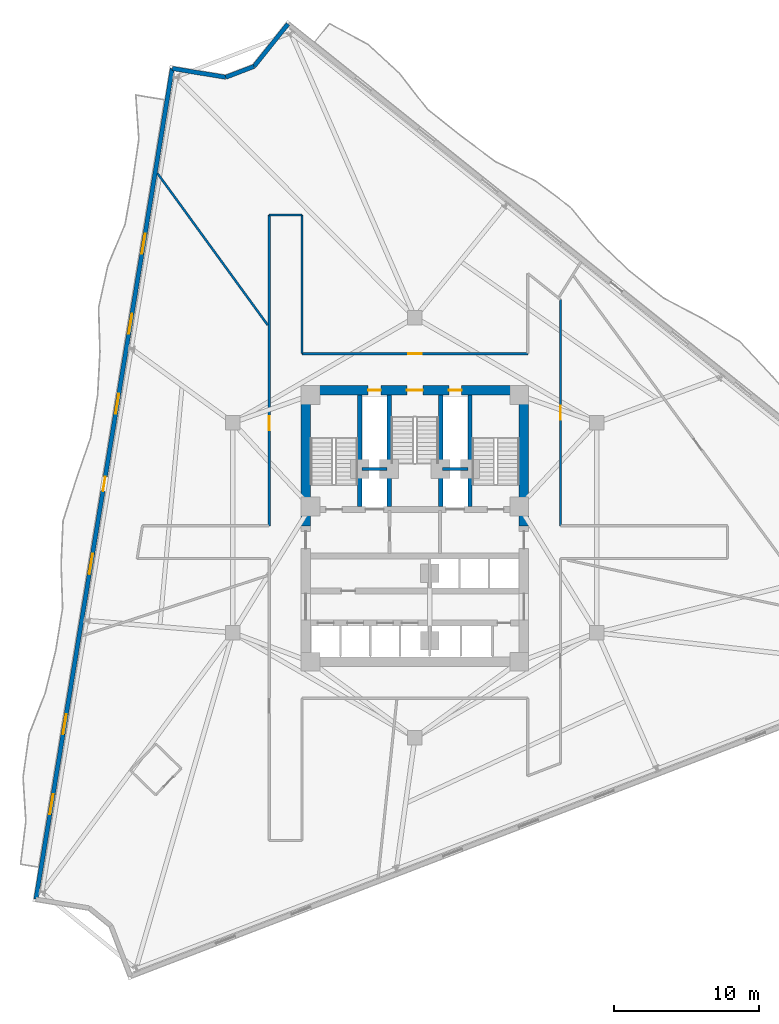
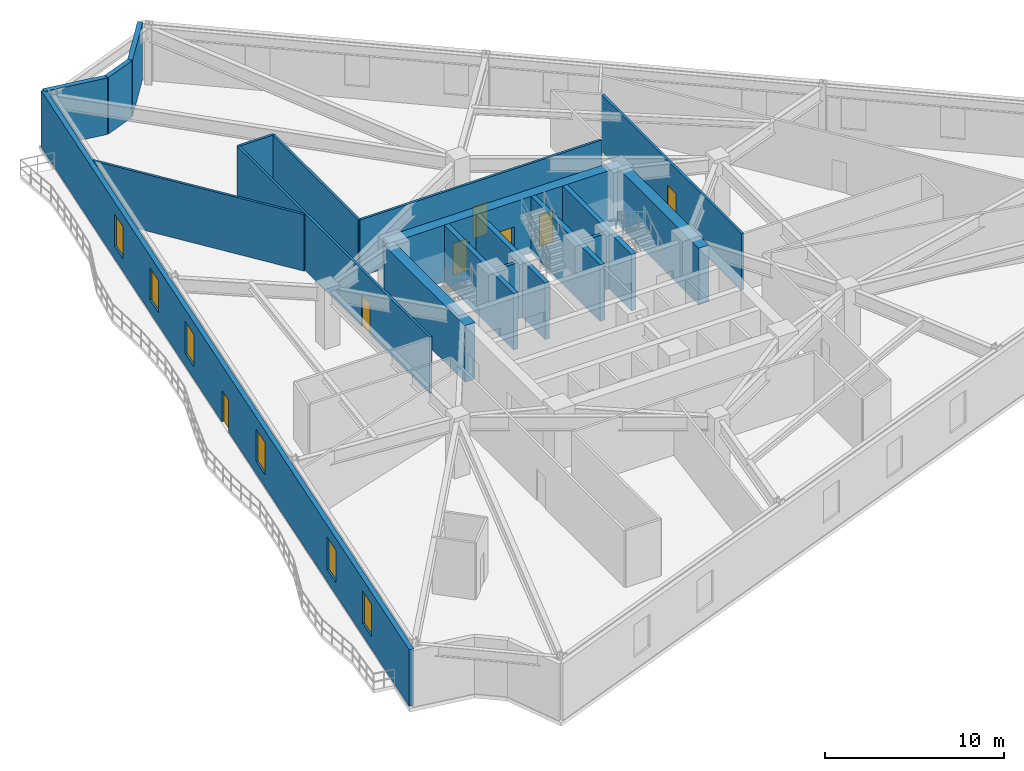
# One storey, part 6 of 10: 19 walls, 7 doors, 6 windows, 13 openings.
"""IFC4 building model written with IfcOpenShell, lengths in metres."""

from ifc_helpers import new_model, si_unit, direction, frame, frame_2d, origin, place, context, subcontext, project, spatial, rectangle, extrude, material, layer, layer_set, type_object, element, fill, save


model = new_model("IFC4")

# Units and contexts
model_context = context("Model", 3, precision=1e-05, world=origin(), true_north=direction((0.0, 1.0)))
body_context = subcontext(model_context, "Body", "Model", "MODEL_VIEW")
ifc_project = project(units=[si_unit("LENGTHUNIT", "METRE"), si_unit("AREAUNIT", "SQUARE_METRE"), si_unit("VOLUMEUNIT", "CUBIC_METRE"), si_unit("PLANEANGLEUNIT", "RADIAN"), si_unit("MASSUNIT", "GRAM", prefix="KILO")], contexts=[model_context])

# Site, building, storey
site_placement = place(None, origin())
site = spatial("IfcSite", under=ifc_project, at=site_placement, CompositionType="ELEMENT")
building_placement = place(site_placement, origin())
building = spatial("IfcBuilding", under=site, at=building_placement, Name="Apsidion Concourse Tower", CompositionType="ELEMENT")
storey_placement = place(building_placement, frame((0.0, 0.0, 152.699951171875)))
storey = spatial("IfcBuildingStorey", under=building, at=storey_placement, Name="L35", CompositionType="ELEMENT", Elevation=152.699951171875)

# Wall, openings, door, windows
ifc_material_1 = material(Name="Precast concrete C40/50", Category="concrete")
ifc_layer_1 = layer(ifc_material_1, 0.300048828125)
ifc_layer_set_1 = layer_set([ifc_layer_1], Name="Precast concrete C40/50")
wall_type_1 = type_object("IfcWallType", Name="WL-EXT-300", PredefinedType="STANDARD", material=ifc_layer_set_1)
wall_1_placement = place(storey_placement, frame((-26.149658203125, -25.64013671875, 0.0), z_axis=(0.0, 0.0, 1.0), x_axis=(0.161975761987, 0.986794736776, 0.0)))
wall_1 = element("IfcWall", 1, at=wall_1_placement, inside=storey, type_object=wall_type_1, Name="L35 Precast Stone Facade Wall 09", PredefinedType="STANDARD", context=body_context, shape_type="SweptSolid", body=[
    extrude(rectangle(XDim=58.093017578125, YDim=0.300048828125, at=frame_2d((29.04638671875, 0.0))), origin(), (0.0, 0.0, 1.0), 3.85009765625),
])
opening_1_placement = place(wall_1_placement, frame((28.54638671875, 0.0, 0.0)))
opening_1 = element("IfcOpeningElement", 2, at=opening_1_placement, cuts=wall_1, Name="Opening D-T1L", PredefinedType="OPENING", context=body_context, shape_type="SweptSolid", body=[
    extrude(rectangle(XDim=1.0, YDim=2.14990234375, at=frame_2d((0.5, 1.074951171875))), frame((0.0, 0.16015625, 0.0), z_axis=(0.0, -1.0, 0.0), x_axis=(1.0, 0.0, 0.0)), (0.0, 0.0, 1.0), 0.320068359375),
])
opening_2_placement = place(wall_1_placement, frame((5.946533203125, 0.0, 0.85009765625)))
opening_2 = element("IfcOpeningElement", 3, at=opening_2_placement, cuts=wall_1, Name="Opening WN-05", PredefinedType="OPENING", context=body_context, shape_type="SweptSolid", body=[
    extrude(rectangle(XDim=1.39990234375, YDim=2.199951171875, at=frame_2d((0.699951171875, 1.10009765625))), frame((0.0, 0.16015625, 0.0), z_axis=(0.0, -1.0, 0.0), x_axis=(1.0, 0.0, 0.0)), (0.0, 0.0, 1.0), 0.320068359375),
])
opening_3_placement = place(wall_1_placement, frame((11.54638671875, 0.0, 0.85009765625)))
opening_3 = element("IfcOpeningElement", 4, at=opening_3_placement, cuts=wall_1, Name="Opening WN-05", PredefinedType="OPENING", context=body_context, shape_type="SweptSolid", body=[
    extrude(rectangle(XDim=1.39990234375, YDim=2.199951171875, at=frame_2d((0.699951171875, 1.10009765625))), frame((0.0, 0.16015625, 0.0), z_axis=(0.0, -1.0, 0.0), x_axis=(1.0, 0.0, 0.0)), (0.0, 0.0, 1.0), 0.320068359375),
])
opening_4_placement = place(wall_1_placement, frame((22.74658203125, 0.0, 0.85009765625)))
opening_4 = element("IfcOpeningElement", 5, at=opening_4_placement, cuts=wall_1, Name="Opening WN-05", PredefinedType="OPENING", context=body_context, shape_type="SweptSolid", body=[
    extrude(rectangle(XDim=1.39990234375, YDim=2.199951171875, at=frame_2d((0.699951171875, 1.10009765625))), frame((0.0, 0.16015625, 0.0), z_axis=(0.0, -1.0, 0.0), x_axis=(1.0, 0.0, 0.0)), (0.0, 0.0, 1.0), 0.320068359375),
])
opening_5_placement = place(wall_1_placement, frame((33.946533203125, 0.0, 0.85009765625)))
opening_5 = element("IfcOpeningElement", 6, at=opening_5_placement, cuts=wall_1, Name="Opening WN-05", PredefinedType="OPENING", context=body_context, shape_type="SweptSolid", body=[
    extrude(rectangle(XDim=1.39990234375, YDim=2.199951171875, at=frame_2d((0.699951171875, 1.10009765625))), frame((0.0, 0.16015625, 0.0), z_axis=(0.0, -1.0, 0.0), x_axis=(1.0, 0.0, 0.0)), (0.0, 0.0, 1.0), 0.320068359375),
])
opening_6_placement = place(wall_1_placement, frame((39.54638671875, 0.0, 0.85009765625)))
opening_6 = element("IfcOpeningElement", 7, at=opening_6_placement, cuts=wall_1, Name="Opening WN-05", PredefinedType="OPENING", context=body_context, shape_type="SweptSolid", body=[
    extrude(rectangle(XDim=1.39990234375, YDim=2.199951171875, at=frame_2d((0.699951171875, 1.10009765625))), frame((0.0, 0.16015625, 0.0), z_axis=(0.0, -1.0, 0.0), x_axis=(1.0, 0.0, 0.0)), (0.0, 0.0, 1.0), 0.320068359375),
])
opening_7_placement = place(wall_1_placement, frame((45.146484375, 0.0, 0.85009765625)))
opening_7 = element("IfcOpeningElement", 8, at=opening_7_placement, cuts=wall_1, Name="Opening WN-05", PredefinedType="OPENING", context=body_context, shape_type="SweptSolid", body=[
    extrude(rectangle(XDim=1.39990234375, YDim=2.199951171875, at=frame_2d((0.699951171875, 1.10009765625))), frame((0.0, 0.16015625, 0.0), z_axis=(0.0, -1.0, 0.0), x_axis=(1.0, 0.0, 0.0)), (0.0, 0.0, 1.0), 0.320068359375),
])
ifc_material_2 = material(Name="Anodised aluminium EN AW-6063 T6", Category="aluminium")
door_type_1 = type_object("IfcDoorType", Name="DR-TER-1022L", OperationType="SINGLE_SWING_LEFT", PredefinedType="DOOR", material=ifc_material_2)
door_1_placement = place(opening_1_placement, origin())
door_1 = element("IfcDoor", 9, at=door_1_placement, inside=storey, type_object=door_type_1, Name="L35 Balcony Access Door 2", OperationType="SINGLE_SWING_LEFT", OverallHeight=2.14990234375, OverallWidth=1.0, PredefinedType="DOOR", context=body_context, shape_type="SweptSolid", body=[
    extrude(rectangle(XDim=1.0, YDim=2.14990234375, at=frame_2d((0.5, 1.074951171875))), frame((0.0, 0.02490234375, 0.0), z_axis=(0.0, -1.0, 0.0), x_axis=(1.0, 0.0, 0.0)), (0.0, 0.0, 1.0), 0.050048828125),
])
fill(opening_1, door_1)
ifc_material_3 = material(Name="Insulated laminated low-E glass", Category="glass")
window_type = type_object("IfcWindowType", Name="WN-OFF-1424", PartitioningType="SINGLE_PANEL", PredefinedType="WINDOW", material=ifc_material_3)
window_1_placement = place(opening_2_placement, origin())
window_1 = element("IfcWindow", 10, at=window_1_placement, inside=storey, type_object=window_type, Name="L35 Punched Facade Window 9-01", OverallHeight=2.199951171875, OverallWidth=1.39990234375, PartitioningType="SINGLE_PANEL", PredefinedType="WINDOW", context=body_context, shape_type="SweptSolid", body=[
    extrude(rectangle(XDim=1.39990234375, YDim=2.199951171875, at=frame_2d((0.699951171875, 1.10009765625))), frame((0.0, 0.030029296875, 0.0), z_axis=(0.0, -1.0, 0.0), x_axis=(1.0, 0.0, 0.0)), (0.0, 0.0, 1.0), 0.06005859375),
])
fill(opening_2, window_1)
window_2_placement = place(opening_3_placement, origin())
window_2 = element("IfcWindow", 11, at=window_2_placement, inside=storey, type_object=window_type, Name="L35 Punched Facade Window 9-02", OverallHeight=2.199951171875, OverallWidth=1.39990234375, PartitioningType="SINGLE_PANEL", PredefinedType="WINDOW", context=body_context, shape_type="SweptSolid", body=[
    extrude(rectangle(XDim=1.39990234375, YDim=2.199951171875, at=frame_2d((0.699951171875, 1.10009765625))), frame((0.0, 0.030029296875, 0.0), z_axis=(0.0, -1.0, 0.0), x_axis=(1.0, 0.0, 0.0)), (0.0, 0.0, 1.0), 0.06005859375),
])
fill(opening_3, window_2)
window_3_placement = place(opening_4_placement, origin())
window_3 = element("IfcWindow", 12, at=window_3_placement, inside=storey, type_object=window_type, Name="L35 Punched Facade Window 9-04", OverallHeight=2.199951171875, OverallWidth=1.39990234375, PartitioningType="SINGLE_PANEL", PredefinedType="WINDOW", context=body_context, shape_type="SweptSolid", body=[
    extrude(rectangle(XDim=1.39990234375, YDim=2.199951171875, at=frame_2d((0.699951171875, 1.10009765625))), frame((0.0, 0.030029296875, 0.0), z_axis=(0.0, -1.0, 0.0), x_axis=(1.0, 0.0, 0.0)), (0.0, 0.0, 1.0), 0.06005859375),
])
fill(opening_4, window_3)
window_4_placement = place(opening_5_placement, origin())
window_4 = element("IfcWindow", 13, at=window_4_placement, inside=storey, type_object=window_type, Name="L35 Punched Facade Window 9-06", OverallHeight=2.199951171875, OverallWidth=1.39990234375, PartitioningType="SINGLE_PANEL", PredefinedType="WINDOW", context=body_context, shape_type="SweptSolid", body=[
    extrude(rectangle(XDim=1.39990234375, YDim=2.199951171875, at=frame_2d((0.699951171875, 1.10009765625))), frame((0.0, 0.030029296875, 0.0), z_axis=(0.0, -1.0, 0.0), x_axis=(1.0, 0.0, 0.0)), (0.0, 0.0, 1.0), 0.06005859375),
])
fill(opening_5, window_4)
window_5_placement = place(opening_6_placement, origin())
window_5 = element("IfcWindow", 14, at=window_5_placement, inside=storey, type_object=window_type, Name="L35 Punched Facade Window 9-07", OverallHeight=2.199951171875, OverallWidth=1.39990234375, PartitioningType="SINGLE_PANEL", PredefinedType="WINDOW", context=body_context, shape_type="SweptSolid", body=[
    extrude(rectangle(XDim=1.39990234375, YDim=2.199951171875, at=frame_2d((0.699951171875, 1.10009765625))), frame((0.0, 0.030029296875, 0.0), z_axis=(0.0, -1.0, 0.0), x_axis=(1.0, 0.0, 0.0)), (0.0, 0.0, 1.0), 0.06005859375),
])
fill(opening_6, window_5)
window_6_placement = place(opening_7_placement, origin())
window_6 = element("IfcWindow", 15, at=window_6_placement, inside=storey, type_object=window_type, Name="L35 Punched Facade Window 9-08", OverallHeight=2.199951171875, OverallWidth=1.39990234375, PartitioningType="SINGLE_PANEL", PredefinedType="WINDOW", context=body_context, shape_type="SweptSolid", body=[
    extrude(rectangle(XDim=1.39990234375, YDim=2.199951171875, at=frame_2d((0.699951171875, 1.10009765625))), frame((0.0, 0.030029296875, 0.0), z_axis=(0.0, -1.0, 0.0), x_axis=(1.0, 0.0, 0.0)), (0.0, 0.0, 1.0), 0.06005859375),
])
fill(opening_7, window_6)

# Walls
wall_2_placement = place(storey_placement, frame((-16.739990234375, 31.685791015625, 0.0), z_axis=(0.0, 0.0, 1.0), x_axis=(0.986793455184, -0.161983569556, 0.0)))
element("IfcWall", 16, at=wall_2_placement, inside=storey, type_object=wall_type_1, Name="L35 Precast Stone Facade Wall 10", PredefinedType="STANDARD", context=body_context, shape_type="SweptSolid", body=[
    extrude(rectangle(XDim=3.73779296875, YDim=0.300048828125, at=frame_2d((1.868896484375, 0.0))), origin(), (0.0, 0.0, 1.0), 3.85009765625),
])
wall_3_placement = place(storey_placement, frame((-13.051513671875, 31.080322265625, 0.0), z_axis=(0.0, 0.0, 1.0), x_axis=(0.933582919313, 0.35836145547, 0.0)))
element("IfcWall", 17, at=wall_3_placement, inside=storey, type_object=wall_type_1, Name="L35 Precast Stone Facade Wall 11", PredefinedType="STANDARD", context=body_context, shape_type="SweptSolid", body=[
    extrude(rectangle(XDim=2.0927734375, YDim=0.300048828125, at=frame_2d((1.04638671875, 0.0))), origin(), (0.0, 0.0, 1.0), 3.85009765625),
])
wall_4_placement = place(storey_placement, frame((-11.09765625, 31.830322265625, 0.0), z_axis=(0.0, 0.0, 1.0), x_axis=(0.624949908599, 0.78066485238, 0.0)))
element("IfcWall", 18, at=wall_4_placement, inside=storey, type_object=wall_type_1, Name="L35 Precast Stone Facade Wall 12", PredefinedType="STANDARD", context=body_context, shape_type="SweptSolid", body=[
    extrude(rectangle(XDim=3.73779296875, YDim=0.300048828125, at=frame_2d((1.868896484375, 0.0))), origin(), (0.0, 0.0, 1.0), 3.85009765625),
])

# Wall, opening, door
ifc_material_4 = material(Name="Gypsum plasterboard partition")
ifc_layer_2 = layer(ifc_material_4, 0.14990234375)
ifc_layer_set_2 = layer_set([ifc_layer_2], Name="Gypsum plasterboard partition")
wall_type_2 = type_object("IfcWallType", Name="WL-INT-PAR-150", PredefinedType="PARTITIONING", material=ifc_layer_set_2)
wall_5_placement = place(storey_placement, frame((-10.050048828125, 0.1298828125, 0.0), z_axis=(0.0, 0.0, 1.0), x_axis=(0.0, 1.0, 0.0)))
wall_5 = element("IfcWall", 19, at=wall_5_placement, inside=storey, type_object=wall_type_2, Name="L35 Interior Partition WL-L35-CORR-10", PredefinedType="PARTITIONING", context=body_context, shape_type="SweptSolid", body=[
    extrude(rectangle(XDim=21.4501953125, YDim=0.14990234375, at=frame_2d((10.72509765625, 0.0))), origin(), (0.0, 0.0, 1.0), 3.85009765625),
])
opening_8_placement = place(wall_5_placement, frame((6.601318359375, 0.0, 0.0)))
opening_8 = element("IfcOpeningElement", 20, at=opening_8_placement, cuts=wall_5, Name="Opening D-01L", PredefinedType="OPENING", context=body_context, shape_type="SweptSolid", body=[
    extrude(rectangle(XDim=0.949951171875, YDim=2.14990234375, at=frame_2d((0.47509765625, 1.074951171875))), frame((0.0, 0.0849609375, 0.0), z_axis=(0.0, -1.0, 0.0), x_axis=(1.0, 0.0, 0.0)), (0.0, 0.0, 1.0), 0.169921875),
])
ifc_material_5 = material(Name="Brushed stainless steel 316", Category="steel")
door_type_2 = type_object("IfcDoorType", Name="DR-INT-D01L", OperationType="SINGLE_SWING_LEFT", PredefinedType="DOOR", material=ifc_material_5)
door_2_placement = place(opening_8_placement, origin())
door_2 = element("IfcDoor", 21, at=door_2_placement, inside=storey, type_object=door_type_2, Name="L35 Corridor Entry Door 05", OperationType="SINGLE_SWING_LEFT", OverallHeight=2.14990234375, OverallWidth=0.949951171875, PredefinedType="DOOR", context=body_context, shape_type="SweptSolid", body=[
    extrude(rectangle(XDim=0.949951171875, YDim=2.14990234375, at=frame_2d((0.47509765625, 1.074951171875))), frame((0.0, 0.02490234375, 0.0), z_axis=(0.0, -1.0, 0.0), x_axis=(1.0, 0.0, 0.0)), (0.0, 0.0, 1.0), 0.050048828125),
])
fill(opening_8, door_2)

# Walls
wall_6_placement = place(storey_placement, frame((-10.050048828125, 21.580078125, 0.0), z_axis=(0.0, 0.0, 1.0), x_axis=(1.0, 0.0, 0.0)))
element("IfcWall", 22, at=wall_6_placement, inside=storey, type_object=wall_type_2, Name="L35 Interior Partition WL-L35-CORR-11", PredefinedType="PARTITIONING", context=body_context, shape_type="SweptSolid", body=[
    extrude(rectangle(XDim=2.260009765625, YDim=0.14990234375, at=frame_2d((1.1298828125, 0.0))), origin(), (0.0, 0.0, 1.0), 3.85009765625),
])
wall_7_placement = place(storey_placement, frame((-7.7900390625, 21.580078125, 0.0), z_axis=(0.0, 0.0, 1.0), x_axis=(0.0, -1.0, 0.0)))
element("IfcWall", 23, at=wall_7_placement, inside=storey, type_object=wall_type_2, Name="L35 Interior Partition WL-L35-CORR-12", PredefinedType="PARTITIONING", context=body_context, shape_type="SweptSolid", body=[
    extrude(rectangle(XDim=9.580078125, YDim=0.14990234375, at=frame_2d((4.7900390625, 0.0))), origin(), (0.0, 0.0, 1.0), 3.85009765625),
])

# Wall, opening, door
wall_8_placement = place(storey_placement, frame((-7.7900390625, 12.0, 0.0), z_axis=(0.0, 0.0, 1.0), x_axis=(1.0, 0.0, 0.0)))
wall_8 = element("IfcWall", 24, at=wall_8_placement, inside=storey, type_object=wall_type_2, Name="L35 Interior Partition WL-L35-CORR-13", PredefinedType="PARTITIONING", context=body_context, shape_type="SweptSolid", body=[
    extrude(rectangle(XDim=15.580078125, YDim=0.14990234375, at=frame_2d((7.7900390625, 0.0))), origin(), (0.0, 0.0, 1.0), 3.85009765625),
])
opening_9_placement = place(wall_8_placement, frame((7.31494140625, 0.0, 0.0)))
opening_9 = element("IfcOpeningElement", 25, at=opening_9_placement, cuts=wall_8, Name="Opening D-01R", PredefinedType="OPENING", context=body_context, shape_type="SweptSolid", body=[
    extrude(rectangle(XDim=0.949951171875, YDim=2.14990234375, at=frame_2d((0.47509765625, 1.074951171875))), frame((0.0, 0.0849609375, 0.0), z_axis=(0.0, -1.0, 0.0), x_axis=(1.0, 0.0, 0.0)), (0.0, 0.0, 1.0), 0.169921875),
])
door_type_3 = type_object("IfcDoorType", Name="DR-INT-D01R", OperationType="SINGLE_SWING_RIGHT", PredefinedType="DOOR", material=ifc_material_5)
door_3_placement = place(opening_9_placement, origin())
door_3 = element("IfcDoor", 26, at=door_3_placement, inside=storey, type_object=door_type_3, Name="L35 Corridor Entry Door 04", OperationType="SINGLE_SWING_RIGHT", OverallHeight=2.14990234375, OverallWidth=0.949951171875, PredefinedType="DOOR", context=body_context, shape_type="SweptSolid", body=[
    extrude(rectangle(XDim=0.949951171875, YDim=2.14990234375, at=frame_2d((0.47509765625, 1.074951171875))), frame((0.0, 0.02490234375, 0.0), z_axis=(0.0, -1.0, 0.0), x_axis=(1.0, 0.0, 0.0)), (0.0, 0.0, 1.0), 0.050048828125),
])
fill(opening_9, door_3)

wall_9_placement = place(storey_placement, frame((10.050048828125, 15.7373046875, 0.0), z_axis=(0.0, 0.0, 1.0), x_axis=(0.0, -1.0, 0.0)))
wall_9 = element("IfcWall", 27, at=wall_9_placement, inside=storey, type_object=wall_type_2, Name="L35 Interior Partition WL-L35-CORR-16", PredefinedType="PARTITIONING", context=body_context, shape_type="SweptSolid", body=[
    extrude(rectangle(XDim=15.607421875, YDim=0.14990234375, at=frame_2d((7.8037109375, 0.0))), origin(), (0.0, 0.0, 1.0), 3.85009765625),
])
opening_10_placement = place(wall_9_placement, frame((7.32861328125, 0.0, 0.0)))
opening_10 = element("IfcOpeningElement", 28, at=opening_10_placement, cuts=wall_9, Name="Opening D-01L", PredefinedType="OPENING", context=body_context, shape_type="SweptSolid", body=[
    extrude(rectangle(XDim=0.949951171875, YDim=2.14990234375, at=frame_2d((0.47509765625, 1.074951171875))), frame((0.0, 0.0849609375, 0.0), z_axis=(0.0, -1.0, 0.0), x_axis=(1.0, 0.0, 0.0)), (0.0, 0.0, 1.0), 0.169921875),
])
door_4_placement = place(opening_10_placement, origin())
door_4 = element("IfcDoor", 29, at=door_4_placement, inside=storey, type_object=door_type_2, Name="L35 Corridor Entry Door 03", OperationType="SINGLE_SWING_LEFT", OverallHeight=2.14990234375, OverallWidth=0.949951171875, PredefinedType="DOOR", context=body_context, shape_type="SweptSolid", body=[
    extrude(rectangle(XDim=0.949951171875, YDim=2.14990234375, at=frame_2d((0.47509765625, 1.074951171875))), frame((0.0, 0.02490234375, 0.0), z_axis=(0.0, -1.0, 0.0), x_axis=(1.0, 0.0, 0.0)), (0.0, 0.0, 1.0), 0.050048828125),
])
fill(opening_10, door_4)

# Walls
wall_10_placement = place(storey_placement, frame((-10.155029296875, 13.977294921875, 0.0), z_axis=(0.0, 0.0, 1.0), x_axis=(-0.587795827483, 0.809009310944, 0.0)))
element("IfcWall", 30, at=wall_10_placement, inside=storey, type_object=wall_type_2, Name="L35 Interior Partition WL-L35-RAD-02-1", PredefinedType="PARTITIONING", context=body_context, shape_type="SweptSolid", body=[
    extrude(rectangle(XDim=12.940185546875, YDim=0.14990234375, at=frame_2d((6.47021484375, 0.0))), origin(), (0.0, 0.0, 1.0), 3.85009765625),
])
ifc_layer_3 = layer(ifc_material_4, 0.199951171875)
ifc_layer_set_3 = layer_set([ifc_layer_3], Name="Gypsum plasterboard partition")
wall_type_3 = type_object("IfcWallType", Name="WL-INT-PAR-200", PredefinedType="PARTITIONING", material=ifc_layer_set_3)
for number, where, z_axis, x_axis, name in (
    (31, (-3.64990234375, 4.050048828125, 0.0), (0.0, 0.0, 1.0), (1.0, 0.0, 0.0), "L35 Interior Partition WL-L35-FF1-N"),
    (32, (1.919921875, 4.050048828125, 0.0), (0.0, 0.0, 1.0), (1.0, 0.0, 0.0), "L35 Interior Partition WL-L35-FF2-N"),
):
    element("IfcWall", number, at=place(storey_placement, frame(where, z_axis=z_axis, x_axis=x_axis)), inside=storey, type_object=wall_type_3, Name=name, PredefinedType="PARTITIONING", context=body_context, shape_type="SweptSolid", body=[
        extrude(rectangle(XDim=1.72998046875, YDim=0.199951171875, at=frame_2d((0.864990234375, 0.0))), origin(), (0.0, 0.0, 1.0), 3.85009765625),
    ])
ifc_material_6 = material(Name="Concrete C50/60", Category="concrete")
ifc_layer_4 = layer(ifc_material_6, 0.300048828125)
ifc_layer_set_4 = layer_set([ifc_layer_4], Name="Concrete C50/60")
wall_type_4 = type_object("IfcWallType", Name="WL-SH-300", PredefinedType="SHEAR", material=ifc_layer_set_4)
for number, where, z_axis, x_axis, name in (
    (33, (-3.800048828125, 1.449951171875, 0.0), (0.0, 0.0, 1.0), (0.0, 1.0, 0.0), "L35 Central Core Shear Wall V1"),
    (34, (-1.77490234375, 1.449951171875, 0.0), (0.0, 0.0, 1.0), (0.0, 1.0, 0.0), "L35 Central Core Shear Wall V2"),
    (35, (1.77490234375, 1.449951171875, 0.0), (0.0, 0.0, 1.0), (0.0, 1.0, 0.0), "L35 Central Core Shear Wall V3"),
    (36, (3.800048828125, 1.449951171875, 0.0), (0.0, 0.0, 1.0), (0.0, 1.0, 0.0), "L35 Central Core Shear Wall V4"),
):
    element("IfcWall", number, at=place(storey_placement, frame(where, z_axis=z_axis, x_axis=x_axis)), inside=storey, type_object=wall_type_4, Name=name, PredefinedType="SHEAR", context=body_context, shape_type="SweptSolid", body=[
        extrude(rectangle(XDim=7.699951171875, YDim=0.300048828125, at=frame_2d((3.85009765625, 0.0))), origin(), (0.0, 0.0, 1.0), 3.85009765625),
    ])

# Wall, openings, doors
ifc_layer_5 = layer(ifc_material_6, 0.64990234375)
ifc_layer_set_5 = layer_set([ifc_layer_5], Name="Concrete C50/60")
wall_type_5 = type_object("IfcWallType", Name="WL-SH-650", PredefinedType="SHEAR", material=ifc_layer_set_5)
wall_11_placement = place(storey_placement, frame((-7.52490234375, 9.47509765625, 0.0), z_axis=(0.0, 0.0, 1.0), x_axis=(1.0, 0.0, 0.0)))
wall_11 = element("IfcWall", 37, at=wall_11_placement, inside=storey, type_object=wall_type_5, Name="L35 Central Core Shear Wall N", PredefinedType="SHEAR", context=body_context, shape_type="SweptSolid", body=[
    extrude(rectangle(XDim=15.0498046875, YDim=0.64990234375, at=frame_2d((7.52490234375, 0.0))), origin(), (0.0, 0.0, 1.0), 3.85009765625),
])
opening_11_placement = place(wall_11_placement, frame((6.97509765625, 0.0, 0.0)))
opening_11 = element("IfcOpeningElement", 38, at=opening_11_placement, cuts=wall_11, Name="Opening D-STL", PredefinedType="OPENING", context=body_context, shape_type="SweptSolid", body=[
    extrude(rectangle(XDim=1.10009765625, YDim=2.14990234375, at=frame_2d((0.550048828125, 1.074951171875))), frame((0.0, 0.3349609375, 0.0), z_axis=(0.0, -1.0, 0.0), x_axis=(1.0, 0.0, 0.0)), (0.0, 0.0, 1.0), 0.669921875),
])
opening_12_placement = place(wall_11_placement, frame((4.304931640625, 0.0, 0.0)))
opening_12 = element("IfcOpeningElement", 39, at=opening_12_placement, cuts=wall_11, Name="Opening D-05L", PredefinedType="OPENING", context=body_context, shape_type="SweptSolid", body=[
    extrude(rectangle(XDim=0.8798828125, YDim=2.14990234375, at=frame_2d((0.43994140625, 1.074951171875))), frame((0.0, 0.3349609375, 0.0), z_axis=(0.0, -1.0, 0.0), x_axis=(1.0, 0.0, 0.0)), (0.0, 0.0, 1.0), 0.669921875),
])
opening_13_placement = place(wall_11_placement, frame((9.864990234375, 0.0, 0.0)))
opening_13 = element("IfcOpeningElement", 40, at=opening_13_placement, cuts=wall_11, Name="Opening D-05R", PredefinedType="OPENING", context=body_context, shape_type="SweptSolid", body=[
    extrude(rectangle(XDim=0.8798828125, YDim=2.14990234375, at=frame_2d((0.43994140625, 1.074951171875))), frame((0.0, 0.3349609375, 0.0), z_axis=(0.0, -1.0, 0.0), x_axis=(1.0, 0.0, 0.0)), (0.0, 0.0, 1.0), 0.669921875),
])
door_type_4 = type_object("IfcDoorType", Name="DR-INT-D05L", OperationType="SINGLE_SWING_LEFT", PredefinedType="DOOR", material=ifc_material_5)
door_5_placement = place(opening_12_placement, origin())
door_5 = element("IfcDoor", 41, at=door_5_placement, inside=storey, type_object=door_type_4, Name="L35 Electrical Riser Shaft Access Door", OperationType="SINGLE_SWING_LEFT", OverallHeight=2.14990234375, OverallWidth=0.8798828125, PredefinedType="DOOR", context=body_context, shape_type="SweptSolid", body=[
    extrude(rectangle(XDim=0.8798828125, YDim=2.14990234375, at=frame_2d((0.43994140625, 1.074951171875))), frame((0.0, 0.02490234375, 0.0), z_axis=(0.0, -1.0, 0.0), x_axis=(1.0, 0.0, 0.0)), (0.0, 0.0, 1.0), 0.050048828125),
])
fill(opening_12, door_5)
door_type_5 = type_object("IfcDoorType", Name="DR-INT-D05R", OperationType="SINGLE_SWING_RIGHT", PredefinedType="DOOR", material=ifc_material_5)
door_6_placement = place(opening_13_placement, origin())
door_6 = element("IfcDoor", 42, at=door_6_placement, inside=storey, type_object=door_type_5, Name="L35 Mechanical Riser Shaft Access Door", OperationType="SINGLE_SWING_RIGHT", OverallHeight=2.14990234375, OverallWidth=0.8798828125, PredefinedType="DOOR", context=body_context, shape_type="SweptSolid", body=[
    extrude(rectangle(XDim=0.8798828125, YDim=2.14990234375, at=frame_2d((0.43994140625, 1.074951171875))), frame((0.0, 0.02490234375, 0.0), z_axis=(0.0, -1.0, 0.0), x_axis=(1.0, 0.0, 0.0)), (0.0, 0.0, 1.0), 0.050048828125),
])
fill(opening_13, door_6)
door_type_6 = type_object("IfcDoorType", Name="DR-INT-ST1L", OperationType="SINGLE_SWING_LEFT", PredefinedType="DOOR", material=ifc_material_5)
door_7_placement = place(opening_11_placement, origin())
door_7 = element("IfcDoor", 43, at=door_7_placement, inside=storey, type_object=door_type_6, Name="L35 Core Exit Stair ST3 Door", OperationType="SINGLE_SWING_LEFT", OverallHeight=2.14990234375, OverallWidth=1.10009765625, PredefinedType="DOOR", context=body_context, shape_type="SweptSolid", body=[
    extrude(rectangle(XDim=1.10009765625, YDim=2.14990234375, at=frame_2d((0.550048828125, 1.074951171875))), frame((0.0, 0.02490234375, 0.0), z_axis=(0.0, -1.0, 0.0), x_axis=(1.0, 0.0, 0.0)), (0.0, 0.0, 1.0), 0.050048828125),
])
fill(opening_11, door_7)

# Walls
for number, where, z_axis, x_axis, name in (
    (44, (-7.52490234375, 0.10009765625, 0.0), (0.0, 0.0, 1.0), (0.0, 1.0, 0.0), "L35 Central Core Shear Wall WN"),
    (45, (7.52490234375, 0.10009765625, 0.0), (0.0, 0.0, 1.0), (0.0, 1.0, 0.0), "L35 Central Core Shear Wall EN"),
):
    element("IfcWall", number, at=place(storey_placement, frame(where, z_axis=z_axis, x_axis=x_axis)), inside=storey, type_object=wall_type_5, Name=name, PredefinedType="SHEAR", context=body_context, shape_type="SweptSolid", body=[
        extrude(rectangle(XDim=9.0498046875, YDim=0.64990234375, at=frame_2d((4.52490234375, 0.0))), origin(), (0.0, 0.0, 1.0), 3.85009765625),
    ])

save(model, "model.ifc")
